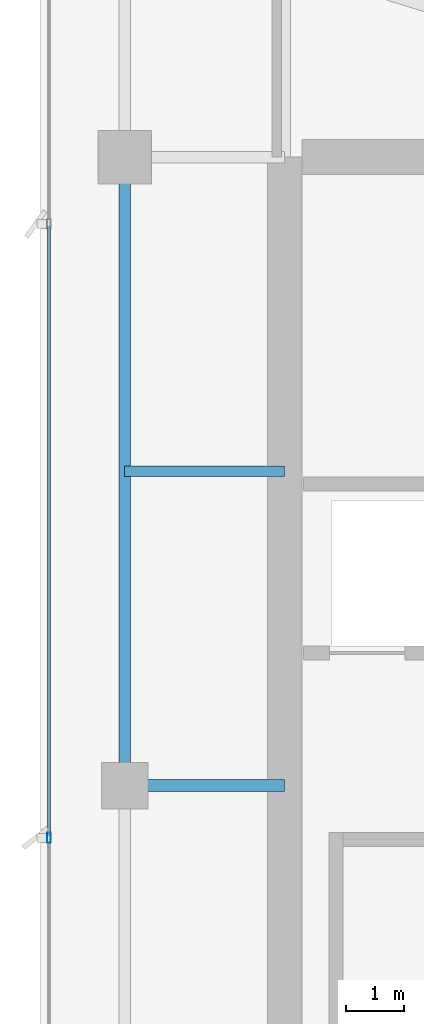
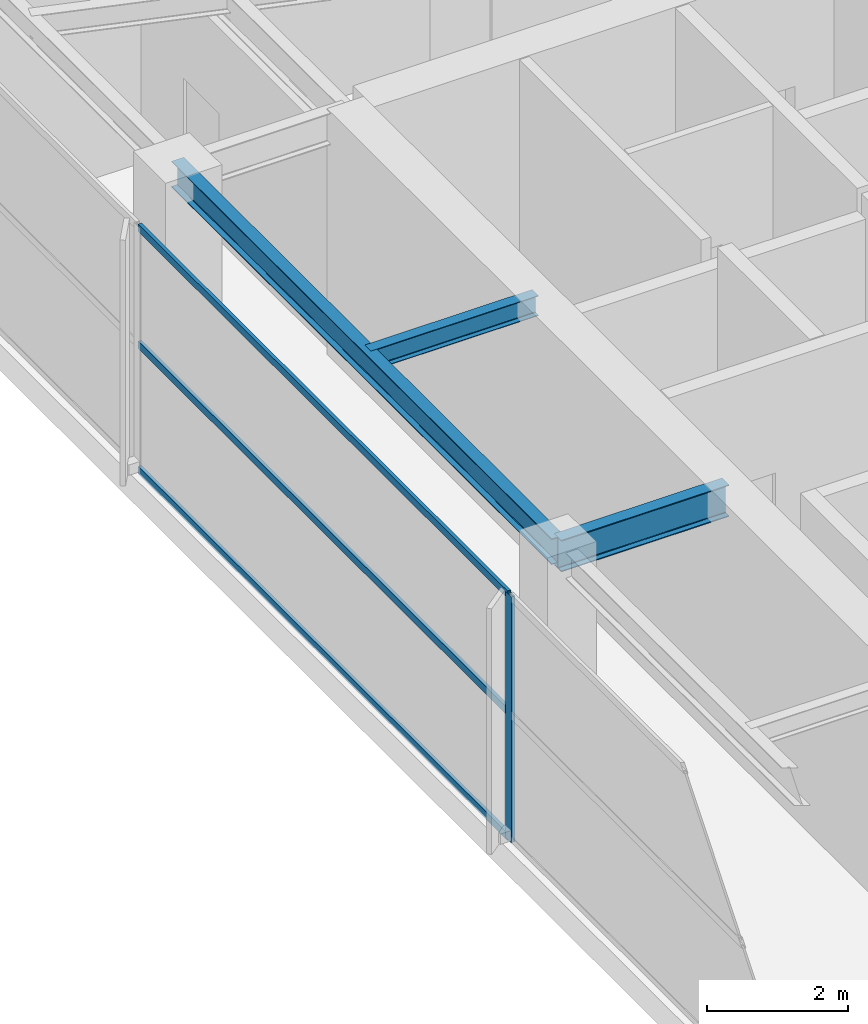
# One storey, part 9 of 25: 4 members, 3 beams, 1 element without a shape of its own.
"""IFC4 building model written with IfcOpenShell, lengths in metres."""

from ifc_helpers import new_model, si_unit, direction, frame, origin, origin_2d, place, context, subcontext, project, spatial, hollow_rectangle, i_section, extrude, material, layer, layer_set, material_profile, profile_set, type_object, element, aggregate, save


model = new_model("IFC4")

# Units and contexts
model_context = context("Model", 3, precision=1e-05, world=origin(), true_north=direction((0.0, 1.0)))
body_context = subcontext(model_context, "Body", "Model", "MODEL_VIEW")
ifc_project = project(units=[si_unit("LENGTHUNIT", "METRE"), si_unit("AREAUNIT", "SQUARE_METRE"), si_unit("VOLUMEUNIT", "CUBIC_METRE"), si_unit("PLANEANGLEUNIT", "RADIAN"), si_unit("MASSUNIT", "GRAM", prefix="KILO")], contexts=[model_context])

# Site, building, storey
site_placement = place(None, origin())
site = spatial("IfcSite", under=ifc_project, at=site_placement, CompositionType="ELEMENT")
building_placement = place(site_placement, origin())
building = spatial("IfcBuilding", under=site, at=building_placement, Name="Calvorn Quay Hotel", CompositionType="ELEMENT")
storey_placement = place(building_placement, frame((0.0, 0.0, 307.0)))
storey = spatial("IfcBuildingStorey", under=building, at=storey_placement, Name="L76", CompositionType="ELEMENT", Elevation=307.0)

# Beams
ifc_material_1 = material(Name="Steel Q355B", Category="steel")
ifc_material_profile_1 = material_profile(ifc_material_1, i_section(OverallWidth=0.199951171875, OverallDepth=0.550048828125, WebThickness=0.010009765625, FlangeThickness=0.01611328125, FilletRadius=0.01806640625, at=origin_2d()), Name="HN550x200x10x16")
ifc_profile_set_1 = profile_set([ifc_material_profile_1], Name="Steel Q355B")
beam_type_1 = type_object("IfcBeamType", Name="BM-GIRD-UPP", PredefinedType="BEAM", material=ifc_profile_set_1)
beam_1_placement = place(storey_placement, frame((1.449951171875, 27.60009765625, 3.965087890625), z_axis=(1.0, 0.0, 0.0), x_axis=(0.0, 1.0, 0.0)))
element("IfcBeam", 1, at=beam_1_placement, inside=storey, type_object=beam_type_1, Name="Beam BG-L76-W2", PredefinedType="BEAM", context=body_context, shape_type="SweptSolid", body=[
    extrude(i_section(OverallWidth=0.199951171875, OverallDepth=0.550048828125, WebThickness=0.010009765625, FlangeThickness=0.01611328125, FilletRadius=0.01806640625, at=origin_2d()), origin(), (0.0, 0.0, 1.0), 2.75),
])
ifc_material_2 = material(Name="Steel Q355B", Category="steel")
ifc_material_profile_2 = material_profile(ifc_material_2, i_section(OverallWidth=0.175048828125, OverallDepth=0.35009765625, WebThickness=0.007080078125, FlangeThickness=0.010986328125, FilletRadius=0.013916015625, at=origin_2d()), Name="HN350x175x7x11")
ifc_profile_set_2 = profile_set([ifc_material_profile_2], Name="Steel Q355B")
beam_type_2 = type_object("IfcBeamType", Name="BM-JOIST-SEC", PredefinedType="JOIST", material=ifc_profile_set_2)
beam_2_placement = place(storey_placement, frame((1.449951171875, 33.0, 4.06494140625), z_axis=(1.0, 0.0, 0.0), x_axis=(0.0, 1.0, 0.0)))
element("IfcBeam", 2, at=beam_2_placement, inside=storey, type_object=beam_type_2, Name="Beam BJ-L76-W4", PredefinedType="JOIST", context=body_context, shape_type="SweptSolid", body=[
    extrude(i_section(OverallWidth=0.175048828125, OverallDepth=0.35009765625, WebThickness=0.007080078125, FlangeThickness=0.010986328125, FilletRadius=0.013916015625, at=origin_2d()), origin(), (0.0, 0.0, 1.0), 2.75),
])
ifc_material_3 = material(Name="Steel Q355B", Category="steel")
ifc_material_profile_3 = material_profile(ifc_material_3, i_section(OverallWidth=0.199951171875, OverallDepth=0.449951171875, WebThickness=0.009033203125, FlangeThickness=0.013916015625, FilletRadius=0.01611328125, at=origin_2d()), Name="HN450x200x9x14")
ifc_profile_set_3 = profile_set([ifc_material_profile_3], Name="Steel Q355B")
beam_type_3 = type_object("IfcBeamType", Name="BM-SPANDREL-Z3", PredefinedType="SPANDREL", material=ifc_profile_set_3)
beam_3_placement = place(storey_placement, frame((1.449951171875, 27.60009765625, 4.014892578125), z_axis=(0.0, 1.0, 0.0), x_axis=(-1.0, 0.0, 0.0)))
element("IfcBeam", 3, at=beam_3_placement, inside=storey, type_object=beam_type_3, Name="Beam BSP-L76-W3", PredefinedType="SPANDREL", context=body_context, shape_type="SweptSolid", body=[
    extrude(i_section(OverallWidth=0.199951171875, OverallDepth=0.449951171875, WebThickness=0.009033203125, FlangeThickness=0.013916015625, FilletRadius=0.01611328125, at=origin_2d()), origin(), (0.0, 0.0, 1.0), 10.7998046875),
])

# Curtain wall, members
ifc_material_4 = material(Name="Champagne Bronze Anodised Aluminium and Low-E Glass", Category="aluminium")
ifc_layer = layer(ifc_material_4, 0.219970703125)
ifc_layer_set = layer_set([ifc_layer], Name="CW-SYS-Z4")
curtain_wall_type = type_object("IfcCurtainWallType", Name="CW-SYS-Z4", PredefinedType="NOTDEFINED", material=ifc_layer_set)
curtain_wall_placement = place(storey_placement, origin())
curtain_wall = element("IfcCurtainWall", 4, at=curtain_wall_placement, inside=storey, type_object=curtain_wall_type, Name="Tower West Curtain Wall (L76)", PredefinedType="NOTDEFINED")
ifc_material_5 = material(Name="Champagne Bronze Anodised Aluminium 6063-T6", Category="aluminium")
ifc_material_profile_4 = material_profile(ifc_material_5, hollow_rectangle(XDim=0.06494140625, YDim=0.169921875, WallThickness=0.00341796875, at=origin_2d()), Name="ALU-M170x65x3.5")
ifc_profile_set_4 = profile_set([ifc_material_profile_4], Name="Champagne Bronze Anodised Aluminium 6063-T6")
member_type_1 = type_object("IfcMemberType", Name="CW-SYS-Z4-MUL", PredefinedType="MULLION", material=ifc_profile_set_4)
member_1_placement = place(storey_placement, frame((0.14990234375, 26.699951171875, 0.0), z_axis=(0.0, 0.0, 1.0), x_axis=(-1.0, 0.0, 0.0)))
member_1 = element("IfcMember", 5, at=member_1_placement, type_object=member_type_1, Name="CW-L76-W mullion 3", PredefinedType="MULLION", context=body_context, shape_type="SweptSolid", body=[
    extrude(hollow_rectangle(XDim=0.06494140625, YDim=0.169921875, WallThickness=0.00341796875, at=origin_2d()), origin(), (0.0, 0.0, 1.0), 4.260009765625),
])
ifc_material_6 = material(Name="Champagne Bronze Anodised Aluminium 6063-T6", Category="aluminium")
ifc_material_profile_5 = material_profile(ifc_material_6, hollow_rectangle(XDim=0.054931640625, YDim=0.1298828125, WallThickness=0.003173828125, at=origin_2d()), Name="ALU-T130x55x3.2")
ifc_profile_set_5 = profile_set([ifc_material_profile_5], Name="Champagne Bronze Anodised Aluminium 6063-T6")
member_type_2 = type_object("IfcMemberType", Name="CW-SYS-Z4-TRN", PredefinedType="USERDEFINED", material=ifc_profile_set_5)
member_2_placement = place(storey_placement, frame((0.14990234375, 26.72998046875, 0.030029296875), z_axis=(0.0, 1.0, 0.0), x_axis=(-1.0, 0.0, 0.0)))
member_2 = element("IfcMember", 6, at=member_2_placement, type_object=member_type_2, Name="CW-L76-W transom 3.1", ObjectType="TRANSOM", PredefinedType="USERDEFINED", context=body_context, shape_type="SweptSolid", body=[
    extrude(hollow_rectangle(XDim=0.054931640625, YDim=0.1298828125, WallThickness=0.003173828125, at=origin_2d()), origin(), (0.0, 0.0, 1.0), 10.489990234375),
])
member_3_placement = place(storey_placement, frame((0.14990234375, 26.72998046875, 2.199951171875), z_axis=(0.0, 1.0, 0.0), x_axis=(-1.0, 0.0, 0.0)))
member_3 = element("IfcMember", 7, at=member_3_placement, type_object=member_type_2, Name="CW-L76-W transom 3.2", ObjectType="TRANSOM", PredefinedType="USERDEFINED", context=body_context, shape_type="SweptSolid", body=[
    extrude(hollow_rectangle(XDim=0.054931640625, YDim=0.1298828125, WallThickness=0.003173828125, at=origin_2d()), origin(), (0.0, 0.0, 1.0), 10.489990234375),
])
member_4_placement = place(storey_placement, frame((0.14990234375, 26.72998046875, 4.22998046875), z_axis=(0.0, 1.0, 0.0), x_axis=(-1.0, 0.0, 0.0)))
member_4 = element("IfcMember", 8, at=member_4_placement, type_object=member_type_2, Name="CW-L76-W transom 3.3", ObjectType="TRANSOM", PredefinedType="USERDEFINED", context=body_context, shape_type="SweptSolid", body=[
    extrude(hollow_rectangle(XDim=0.054931640625, YDim=0.1298828125, WallThickness=0.003173828125, at=origin_2d()), origin(), (0.0, 0.0, 1.0), 10.489990234375),
])
aggregate(curtain_wall, [member_1, member_2, member_3, member_4])

save(model, "model.ifc")
